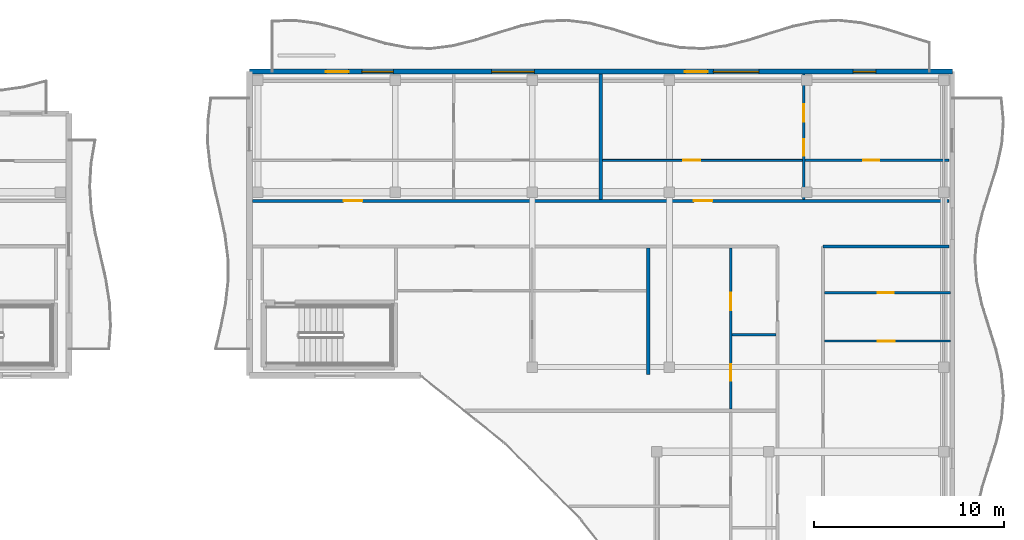
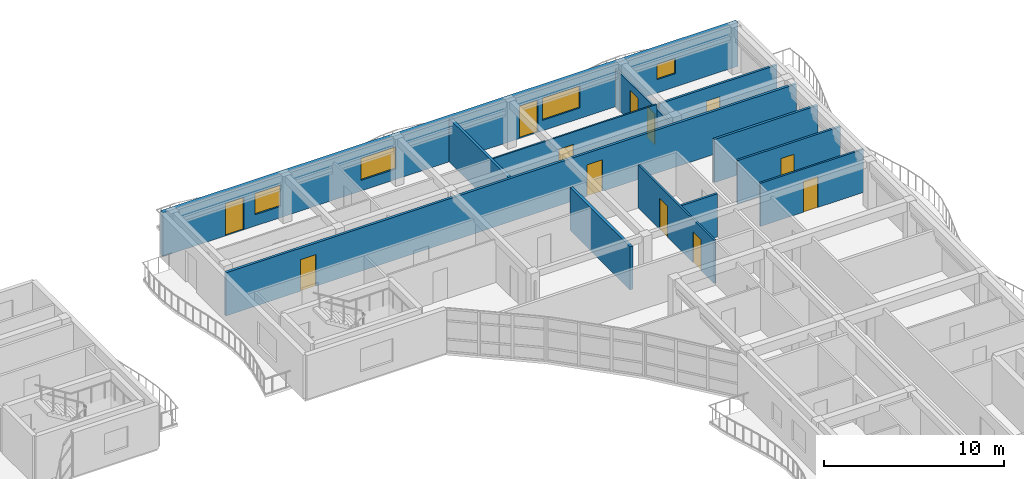
# One storey, part 35 of 49: 12 doors, 12 walls, 4 windows, 16 openings.
"""IFC4 building model written with IfcOpenShell, lengths in metres."""

from ifc_helpers import new_model, si_unit, direction, frame, frame_2d, origin, place, context, subcontext, project, spatial, rectangle, extrude, material, layer, layer_set, type_object, element, fill, save


model = new_model("IFC4")

# Units and contexts
model_context = context("Model", 3, precision=1e-05, world=origin(), true_north=direction((0.0, 1.0)))
body_context = subcontext(model_context, "Body", "Model", "MODEL_VIEW")
ifc_project = project(units=[si_unit("LENGTHUNIT", "METRE"), si_unit("AREAUNIT", "SQUARE_METRE"), si_unit("VOLUMEUNIT", "CUBIC_METRE"), si_unit("PLANEANGLEUNIT", "RADIAN"), si_unit("MASSUNIT", "GRAM", prefix="KILO")], contexts=[model_context])

# Site, building, storey
site_placement = place(None, origin())
site = spatial("IfcSite", under=ifc_project, at=site_placement, CompositionType="ELEMENT")
building_placement = place(site_placement, origin())
building = spatial("IfcBuilding", under=site, at=building_placement, Name="Keldmere Railside Commons", CompositionType="ELEMENT")
storey_placement = place(building_placement, frame((0.0, 0.0, 29.760009765625)))
storey = spatial("IfcBuildingStorey", under=building, at=storey_placement, Name="L09", CompositionType="ELEMENT", Elevation=29.760009765625)

# Walls
ifc_material_1 = material(Name="Acoustic Gypsum Board Partition", Category="gypsum")
ifc_layer_1 = layer(ifc_material_1, 0.179931640625, Name="Acoustic Demising Partition 180")
ifc_layer_set_1 = layer_set([ifc_layer_1], Name="Acoustic Gypsum Board Partition")
wall_type_1 = type_object("IfcWallType", Name="Acoustic Demising Partition 180", PredefinedType="PARTITIONING", material=ifc_layer_set_1)
wall_1_placement = place(storey_placement, frame((168.0, 100.050048828125, 0.0), z_axis=(0.0, 0.0, 1.0), x_axis=(0.0, 1.0, 0.0)))
element("IfcWall", 1, at=wall_1_placement, inside=storey, type_object=wall_type_1, Name="IW-1 IW-L09-1774", PredefinedType="PARTITIONING", context=body_context, shape_type="SweptSolid", body=[
    extrude(rectangle(XDim=6.669921875, YDim=0.179931640625, at=frame_2d((3.3349609375, 0.0))), origin(), (0.0, 0.0, 1.0), 2.93505859375),
])
wall_2_placement = place(storey_placement, frame((165.5, 109.280029296875, 0.0), z_axis=(0.0, 0.0, 1.0), x_axis=(0.0, 1.0, 0.0)))
element("IfcWall", 2, at=wall_2_placement, inside=storey, type_object=wall_type_1, Name="IW-1 IW-L09-1789", PredefinedType="PARTITIONING", context=body_context, shape_type="SweptSolid", body=[
    extrude(rectangle(XDim=6.590087890625, YDim=0.179931640625, at=frame_2d((3.294921875, 0.0))), origin(), (0.0, 0.0, 1.0), 2.93505859375),
])

# Wall, openings, doors
ifc_layer_2 = layer(ifc_material_1, 0.1201171875, Name="Apartment Interior Partition 120")
ifc_layer_set_2 = layer_set([ifc_layer_2], Name="Acoustic Gypsum Board Partition")
wall_type_2 = type_object("IfcWallType", Name="Apartment Interior Partition 120", PredefinedType="PARTITIONING", material=ifc_layer_set_2)
wall_3_placement = place(storey_placement, frame((172.340087890625, 98.25, 0.0), z_axis=(0.0, 0.0, 1.0), x_axis=(0.0, 1.0, 0.0)))
wall_3 = element("IfcWall", 3, at=wall_3_placement, inside=storey, type_object=wall_type_2, Name="IW-4 IW-L09-1787", PredefinedType="PARTITIONING", context=body_context, shape_type="SweptSolid", body=[
    extrude(rectangle(XDim=8.469970703125, YDim=0.1201171875, at=frame_2d((4.23486328125, 0.0))), origin(), (0.0, 0.0, 1.0), 2.93505859375),
])
opening_1_placement = place(wall_3_placement, frame((1.48193359375, 0.0, 0.0)))
opening_1 = element("IfcOpeningElement", 4, at=opening_1_placement, cuts=wall_3, Name="Opening ID-04", PredefinedType="OPENING", context=body_context, shape_type="SweptSolid", body=[
    extrude(rectangle(XDim=0.860107421875, YDim=2.10009765625, at=frame_2d((0.43017578125, 1.050048828125))), frame((0.0, 0.070068359375, 0.0), z_axis=(0.0, -1.0, 0.0), x_axis=(1.0, 0.0, 0.0)), (0.0, 0.0, 1.0), 0.14013671875),
])
opening_2_placement = place(wall_3_placement, frame((5.1796875, 0.0, 0.0)))
opening_2 = element("IfcOpeningElement", 5, at=opening_2_placement, cuts=wall_3, Name="Opening ID-03", PredefinedType="OPENING", context=body_context, shape_type="SweptSolid", body=[
    extrude(rectangle(XDim=0.919921875, YDim=2.10009765625, at=frame_2d((0.4599609375, 1.050048828125))), frame((0.0, 0.070068359375, 0.0), z_axis=(0.0, -1.0, 0.0), x_axis=(1.0, 0.0, 0.0)), (0.0, 0.0, 1.0), 0.14013671875),
])
ifc_material_2 = material(Name="Engineered Oak Timber", Category="wood")
door_type_1 = type_object("IfcDoorType", Name="Apartment Bathroom Door 860x2100", OperationType="NOTDEFINED", PredefinedType="DOOR", material=ifc_material_2)
door_1_placement = place(opening_1_placement, origin())
door_1 = element("IfcDoor", 6, at=door_1_placement, inside=storey, type_object=door_type_1, Name="ID-04 IDR-L09-1629", OperationType="SINGLE_SWING_LEFT", OverallHeight=2.10009765625, OverallWidth=0.860107421875, PredefinedType="DOOR", context=body_context, shape_type="SweptSolid", body=[
    extrude(rectangle(XDim=0.860107421875, YDim=2.10009765625, at=frame_2d((0.43017578125, 1.050048828125))), frame((0.0, 0.02490234375, 0.0), z_axis=(0.0, -1.0, 0.0), x_axis=(1.0, 0.0, 0.0)), (0.0, 0.0, 1.0), 0.050048828125),
])
fill(opening_1, door_1)
door_type_2 = type_object("IfcDoorType", Name="Kitchen Pocket-Frame Swing Door 920x2100", OperationType="NOTDEFINED", PredefinedType="DOOR", material=ifc_material_2)
door_2_placement = place(opening_2_placement, origin())
door_2 = element("IfcDoor", 7, at=door_2_placement, inside=storey, type_object=door_type_2, Name="ID-03 IDR-L09-1630", OperationType="SINGLE_SWING_RIGHT", OverallHeight=2.10009765625, OverallWidth=0.919921875, PredefinedType="DOOR", context=body_context, shape_type="SweptSolid", body=[
    extrude(rectangle(XDim=0.919921875, YDim=2.10009765625, at=frame_2d((0.4599609375, 1.050048828125))), frame((0.0, 0.02490234375, 0.0), z_axis=(0.0, -1.0, 0.0), x_axis=(1.0, 0.0, 0.0)), (0.0, 0.0, 1.0), 0.050048828125),
])
fill(opening_2, door_2)

wall_4_placement = place(storey_placement, frame((176.179931640625, 109.280029296875, 0.0), z_axis=(0.0, 0.0, 1.0), x_axis=(0.0, 1.0, 0.0)))
wall_4 = element("IfcWall", 8, at=wall_4_placement, inside=storey, type_object=wall_type_2, Name="IW-4 IW-L09-1793", PredefinedType="PARTITIONING", context=body_context, shape_type="SweptSolid", body=[
    extrude(rectangle(XDim=6.590087890625, YDim=0.1201171875, at=frame_2d((3.294921875, 0.0))), origin(), (0.0, 0.0, 1.0), 2.580078125),
])
opening_3_placement = place(wall_4_placement, frame((2.305908203125, 0.0, 0.0)))
opening_3 = element("IfcOpeningElement", 9, at=opening_3_placement, cuts=wall_4, Name="Opening ID-04", PredefinedType="OPENING", context=body_context, shape_type="SweptSolid", body=[
    extrude(rectangle(XDim=0.860107421875, YDim=2.10009765625, at=frame_2d((0.43017578125, 1.050048828125))), frame((0.0, 0.070068359375, 0.0), z_axis=(0.0, -1.0, 0.0), x_axis=(1.0, 0.0, 0.0)), (0.0, 0.0, 1.0), 0.14013671875),
])
opening_4_placement = place(wall_4_placement, frame((4.093017578125, 0.0, 0.0)))
opening_4 = element("IfcOpeningElement", 10, at=opening_4_placement, cuts=wall_4, Name="Opening ID-01", PredefinedType="OPENING", context=body_context, shape_type="SweptSolid", body=[
    extrude(rectangle(XDim=0.89990234375, YDim=2.10009765625, at=frame_2d((0.449951171875, 1.050048828125))), frame((0.0, 0.070068359375, 0.0), z_axis=(0.0, -1.0, 0.0), x_axis=(1.0, 0.0, 0.0)), (0.0, 0.0, 1.0), 0.14013671875),
])
door_3_placement = place(opening_3_placement, origin())
door_3 = element("IfcDoor", 11, at=door_3_placement, inside=storey, type_object=door_type_1, Name="ID-04 IDR-L09-1639", OperationType="SINGLE_SWING_LEFT", OverallHeight=2.10009765625, OverallWidth=0.860107421875, PredefinedType="DOOR", context=body_context, shape_type="SweptSolid", body=[
    extrude(rectangle(XDim=0.860107421875, YDim=2.10009765625, at=frame_2d((0.43017578125, 1.050048828125))), frame((0.0, 0.02490234375, 0.0), z_axis=(0.0, -1.0, 0.0), x_axis=(1.0, 0.0, 0.0)), (0.0, 0.0, 1.0), 0.050048828125),
])
fill(opening_3, door_3)
door_type_3 = type_object("IfcDoorType", Name="Primary Bedroom Door 900x2100", OperationType="NOTDEFINED", PredefinedType="DOOR", material=ifc_material_2)
door_4_placement = place(opening_4_placement, origin())
door_4 = element("IfcDoor", 12, at=door_4_placement, inside=storey, type_object=door_type_3, Name="ID-01 IDR-L09-1640", OperationType="SINGLE_SWING_RIGHT", OverallHeight=2.10009765625, OverallWidth=0.89990234375, PredefinedType="DOOR", context=body_context, shape_type="SweptSolid", body=[
    extrude(rectangle(XDim=0.89990234375, YDim=2.10009765625, at=frame_2d((0.449951171875, 1.050048828125))), frame((0.0, 0.02490234375, 0.0), z_axis=(0.0, -1.0, 0.0), x_axis=(1.0, 0.0, 0.0)), (0.0, 0.0, 1.0), 0.050048828125),
])
fill(opening_4, door_4)

# Wall, opening, door
wall_5_placement = place(storey_placement, frame((177.280029296875, 101.820068359375, 0.0), z_axis=(0.0, 0.0, 1.0), x_axis=(1.0, 0.0, 0.0)))
wall_5 = element("IfcWall", 13, at=wall_5_placement, inside=storey, type_object=wall_type_2, Name="IW-4 IW-L09-1802", PredefinedType="PARTITIONING", context=body_context, shape_type="SweptSolid", body=[
    extrude(rectangle(XDim=6.6298828125, YDim=0.1201171875, at=frame_2d((3.31494140625, 0.0))), origin(), (0.0, 0.0, 1.0), 2.93505859375),
])
opening_5_placement = place(wall_5_placement, frame((2.78466796875, 0.0, 0.0)))
opening_5 = element("IfcOpeningElement", 14, at=opening_5_placement, cuts=wall_5, Name="Opening ID-03", PredefinedType="OPENING", context=body_context, shape_type="SweptSolid", body=[
    extrude(rectangle(XDim=0.919921875, YDim=2.10009765625, at=frame_2d((0.4599609375, 1.050048828125))), frame((0.0, 0.070068359375, 0.0), z_axis=(0.0, -1.0, 0.0), x_axis=(1.0, 0.0, 0.0)), (0.0, 0.0, 1.0), 0.14013671875),
])
door_5_placement = place(opening_5_placement, origin())
door_5 = element("IfcDoor", 15, at=door_5_placement, inside=storey, type_object=door_type_2, Name="ID-03 IDR-L09-1651", OperationType="SINGLE_SWING_LEFT", OverallHeight=2.10009765625, OverallWidth=0.919921875, PredefinedType="DOOR", context=body_context, shape_type="SweptSolid", body=[
    extrude(rectangle(XDim=0.919921875, YDim=2.10009765625, at=frame_2d((0.4599609375, 1.050048828125))), frame((0.0, 0.02490234375, 0.0), z_axis=(0.0, -1.0, 0.0), x_axis=(1.0, 0.0, 0.0)), (0.0, 0.0, 1.0), 0.050048828125),
])
fill(opening_5, door_5)

ifc_layer_3 = layer(ifc_material_1, 0.10009765625, Name="Closet Light Partition 100")
ifc_layer_set_3 = layer_set([ifc_layer_3], Name="Acoustic Gypsum Board Partition")
wall_type_3 = type_object("IfcWallType", Name="Closet Light Partition 100", PredefinedType="PARTITIONING", material=ifc_layer_set_3)
wall_6_placement = place(storey_placement, frame((165.590087890625, 111.330078125, 0.0), z_axis=(0.0, 0.0, 1.0), x_axis=(1.0, 0.0, 0.0)))
wall_6 = element("IfcWall", 16, at=wall_6_placement, inside=storey, type_object=wall_type_3, Name="IW-6 IW-L09-1795", PredefinedType="PARTITIONING", context=body_context, shape_type="SweptSolid", body=[
    extrude(rectangle(XDim=10.530029296875, YDim=0.10009765625, at=frame_2d((5.26513671875, 0.0))), origin(), (0.0, 0.0, 1.0), 2.93505859375),
])
opening_6_placement = place(wall_6_placement, frame((4.236083984375, 0.0, 0.0)))
opening_6 = element("IfcOpeningElement", 17, at=opening_6_placement, cuts=wall_6, Name="Opening ID-03", PredefinedType="OPENING", context=body_context, shape_type="SweptSolid", body=[
    extrude(rectangle(XDim=0.919921875, YDim=2.10009765625, at=frame_2d((0.4599609375, 1.050048828125))), frame((0.0, 0.06005859375, 0.0), z_axis=(0.0, -1.0, 0.0), x_axis=(1.0, 0.0, 0.0)), (0.0, 0.0, 1.0), 0.1201171875),
])
door_6_placement = place(opening_6_placement, origin())
door_6 = element("IfcDoor", 18, at=door_6_placement, inside=storey, type_object=door_type_2, Name="ID-03 IDR-L09-1638", OperationType="SINGLE_SWING_RIGHT", OverallHeight=2.10009765625, OverallWidth=0.919921875, PredefinedType="DOOR", context=body_context, shape_type="SweptSolid", body=[
    extrude(rectangle(XDim=0.919921875, YDim=2.10009765625, at=frame_2d((0.4599609375, 1.050048828125))), frame((0.0, 0.02490234375, 0.0), z_axis=(0.0, -1.0, 0.0), x_axis=(1.0, 0.0, 0.0)), (0.0, 0.0, 1.0), 0.050048828125),
])
fill(opening_6, door_6)

# Wall
ifc_layer_4 = layer(ifc_material_1, 0.159912109375, Name="Corridor Fire Partition 160")
ifc_layer_set_4 = layer_set([ifc_layer_4], Name="Acoustic Gypsum Board Partition")
wall_type_4 = type_object("IfcWallType", Name="Corridor Fire Partition 160", PredefinedType="PARTITIONING", material=ifc_layer_set_4)
wall_7_placement = place(storey_placement, frame((177.199951171875, 106.800048828125, 0.0), z_axis=(0.0, 0.0, 1.0), x_axis=(1.0, 0.0, 0.0)))
element("IfcWall", 19, at=wall_7_placement, inside=storey, type_object=wall_type_4, Name="IW-2 IW-L09-1772", PredefinedType="PARTITIONING", context=body_context, shape_type="SweptSolid", body=[
    extrude(rectangle(XDim=6.64013671875, YDim=0.159912109375, at=frame_2d((3.320068359375, 0.0))), origin(), (0.0, 0.0, 1.0), 2.93505859375),
])

# Wall, openings, doors
wall_8_placement = place(storey_placement, frame((147.159912109375, 109.199951171875, 0.0), z_axis=(0.0, 0.0, 1.0), x_axis=(1.0, 0.0, 0.0)))
wall_8 = element("IfcWall", 20, at=wall_8_placement, inside=storey, type_object=wall_type_4, Name="IW-2 IW-L09-1773", PredefinedType="PARTITIONING", context=body_context, shape_type="SweptSolid", body=[
    extrude(rectangle(XDim=36.68017578125, YDim=0.159912109375, at=frame_2d((18.340087890625, 0.0))), origin(), (0.0, 0.0, 1.0), 2.93505859375),
])
opening_7_placement = place(wall_8_placement, frame((4.804931640625, 0.0, 0.0)))
opening_7 = element("IfcOpeningElement", 21, at=opening_7_placement, cuts=wall_8, Name="Opening FD-7", PredefinedType="OPENING", context=body_context, shape_type="SweptSolid", body=[
    extrude(rectangle(XDim=0.97998046875, YDim=2.14990234375, at=frame_2d((0.489990234375, 1.074951171875))), frame((0.0, 0.08984375, 0.0), z_axis=(0.0, -1.0, 0.0), x_axis=(1.0, 0.0, 0.0)), (0.0, 0.0, 1.0), 0.179931640625),
])
opening_8_placement = place(wall_8_placement, frame((23.235107421875, 0.0, 0.0)))
opening_8 = element("IfcOpeningElement", 22, at=opening_8_placement, cuts=wall_8, Name="Opening FD-7", PredefinedType="OPENING", context=body_context, shape_type="SweptSolid", body=[
    extrude(rectangle(XDim=0.97998046875, YDim=2.14990234375, at=frame_2d((0.489990234375, 1.074951171875))), frame((0.0, 0.08984375, 0.0), z_axis=(0.0, -1.0, 0.0), x_axis=(1.0, 0.0, 0.0)), (0.0, 0.0, 1.0), 0.179931640625),
])
door_type_4 = type_object("IfcDoorType", Name="Apartment Entrance Acoustic Fire Door 980x2150", OperationType="NOTDEFINED", PredefinedType="DOOR", material=ifc_material_2)
door_7_placement = place(opening_7_placement, origin())
door_7 = element("IfcDoor", 23, at=door_7_placement, inside=storey, type_object=door_type_4, Name="FD-7 IDR-L09-1632", OperationType="SINGLE_SWING_RIGHT", OverallHeight=2.14990234375, OverallWidth=0.97998046875, PredefinedType="DOOR", context=body_context, shape_type="SweptSolid", body=[
    extrude(rectangle(XDim=0.97998046875, YDim=2.14990234375, at=frame_2d((0.489990234375, 1.074951171875))), frame((0.0, 0.02490234375, 0.0), z_axis=(0.0, -1.0, 0.0), x_axis=(1.0, 0.0, 0.0)), (0.0, 0.0, 1.0), 0.050048828125),
])
fill(opening_7, door_7)
door_8_placement = place(opening_8_placement, origin())
door_8 = element("IfcDoor", 24, at=door_8_placement, inside=storey, type_object=door_type_4, Name="FD-7 IDR-L09-1637", OperationType="SINGLE_SWING_LEFT", OverallHeight=2.14990234375, OverallWidth=0.97998046875, PredefinedType="DOOR", context=body_context, shape_type="SweptSolid", body=[
    extrude(rectangle(XDim=0.97998046875, YDim=2.14990234375, at=frame_2d((0.489990234375, 1.074951171875))), frame((0.0, 0.02490234375, 0.0), z_axis=(0.0, -1.0, 0.0), x_axis=(1.0, 0.0, 0.0)), (0.0, 0.0, 1.0), 0.050048828125),
])
fill(opening_8, door_8)

# Wall, openings, windows, doors
ifc_material_3 = material(Name="Terracotta Brick Masonry", Category="masonry")
ifc_layer_5 = layer(ifc_material_3, 0.260009765625, Name="Terracotta Cavity Wall 260")
ifc_layer_set_5 = layer_set([ifc_layer_5], Name="Terracotta Brick Masonry")
wall_type_5 = type_object("IfcWallType", Name="Terracotta Cavity Wall 260", PredefinedType="SOLIDWALL", material=ifc_layer_set_5)
wall_9_placement = place(storey_placement, frame((147.0, 116.0, 0.0), z_axis=(0.0, 0.0, 1.0), x_axis=(1.0, 0.0, 0.0)))
wall_9 = element("IfcWall", 25, at=wall_9_placement, inside=storey, type_object=wall_type_5, Name="EW-1 EXTA-L09-0940", PredefinedType="SOLIDWALL", context=body_context, shape_type="SweptSolid", body=[
    extrude(rectangle(XDim=37.0, YDim=0.260009765625, at=frame_2d((18.5, 0.0))), origin(), (0.0, 0.0, 1.0), 2.97998046875),
])
opening_9_placement = place(wall_9_placement, frame((4.02490234375, 0.0, 0.0)))
opening_9 = element("IfcOpeningElement", 26, at=opening_9_placement, cuts=wall_9, Name="Opening BD-01", PredefinedType="OPENING", context=body_context, shape_type="SweptSolid", body=[
    extrude(rectangle(XDim=1.199951171875, YDim=2.199951171875, at=frame_2d((0.60009765625, 1.10009765625))), frame((0.0, 0.139892578125, 0.0), z_axis=(0.0, -1.0, 0.0), x_axis=(1.0, 0.0, 0.0)), (0.0, 0.0, 1.0), 0.280029296875),
])
opening_10_placement = place(wall_9_placement, frame((5.925048828125, 0.0, 0.77001953125)))
opening_10 = element("IfcOpeningElement", 27, at=opening_10_placement, cuts=wall_9, Name="Opening WN-03", PredefinedType="OPENING", context=body_context, shape_type="SweptSolid", body=[
    extrude(rectangle(XDim=1.64990234375, YDim=1.449951171875, at=frame_2d((0.824951171875, 0.72509765625))), frame((0.0, 0.139892578125, 0.0), z_axis=(0.0, -1.0, 0.0), x_axis=(1.0, 0.0, 0.0)), (0.0, 0.0, 1.0), 0.280029296875),
])
opening_11_placement = place(wall_9_placement, frame((12.75, 0.0, 0.719970703125)))
opening_11 = element("IfcOpeningElement", 28, at=opening_11_placement, cuts=wall_9, Name="Opening WN-12", PredefinedType="OPENING", context=body_context, shape_type="SweptSolid", body=[
    extrude(rectangle(XDim=2.25, YDim=1.5, at=frame_2d((1.125, 0.75))), frame((0.0, 0.139892578125, 0.0), z_axis=(0.0, -1.0, 0.0), x_axis=(1.0, 0.0, 0.0)), (0.0, 0.0, 1.0), 0.280029296875),
])
opening_12_placement = place(wall_9_placement, frame((22.925048828125, 0.0, 0.0)))
opening_12 = element("IfcOpeningElement", 29, at=opening_12_placement, cuts=wall_9, Name="Opening BD-01", PredefinedType="OPENING", context=body_context, shape_type="SweptSolid", body=[
    extrude(rectangle(XDim=1.199951171875, YDim=2.199951171875, at=frame_2d((0.60009765625, 1.10009765625))), frame((0.0, 0.139892578125, 0.0), z_axis=(0.0, -1.0, 0.0), x_axis=(1.0, 0.0, 0.0)), (0.0, 0.0, 1.0), 0.280029296875),
])
opening_13_placement = place(wall_9_placement, frame((24.425048828125, 0.0, 0.719970703125)))
opening_13 = element("IfcOpeningElement", 30, at=opening_13_placement, cuts=wall_9, Name="Opening WN-05", PredefinedType="OPENING", context=body_context, shape_type="SweptSolid", body=[
    extrude(rectangle(XDim=2.39990234375, YDim=1.5, at=frame_2d((1.199951171875, 0.75))), frame((0.0, 0.139892578125, 0.0), z_axis=(0.0, -1.0, 0.0), x_axis=(1.0, 0.0, 0.0)), (0.0, 0.0, 1.0), 0.280029296875),
])
opening_14_placement = place(wall_9_placement, frame((31.77490234375, 0.0, 0.89990234375)))
opening_14 = element("IfcOpeningElement", 31, at=opening_14_placement, cuts=wall_9, Name="Opening WN-14", PredefinedType="OPENING", context=body_context, shape_type="SweptSolid", body=[
    extrude(rectangle(XDim=1.199951171875, YDim=1.050048828125, at=frame_2d((0.60009765625, 0.52490234375))), frame((0.0, 0.139892578125, 0.0), z_axis=(0.0, -1.0, 0.0), x_axis=(1.0, 0.0, 0.0)), (0.0, 0.0, 1.0), 0.280029296875),
])
ifc_material_4 = material(Name="Low-E Insulated Double Glazing", Category="glass")
window_type_1 = type_object("IfcWindowType", Name="Apartment Kitchen Ribbon Window 1200x1050", PartitioningType="SINGLE_PANEL", PredefinedType="WINDOW", material=ifc_material_4)
window_1_placement = place(opening_14_placement, origin())
window_1 = element("IfcWindow", 32, at=window_1_placement, inside=storey, type_object=window_type_1, Name="WN-14 WIN-L09-0750", OverallHeight=1.050048828125, OverallWidth=1.199951171875, PartitioningType="SINGLE_PANEL", PredefinedType="WINDOW", context=body_context, shape_type="SweptSolid", body=[
    extrude(rectangle(XDim=1.199951171875, YDim=1.050048828125, at=frame_2d((0.60009765625, 0.52490234375))), frame((0.0, 0.030029296875, 0.0), z_axis=(0.0, -1.0, 0.0), x_axis=(1.0, 0.0, 0.0)), (0.0, 0.0, 1.0), 0.06005859375),
])
fill(opening_14, window_1)
ifc_material_5 = material(Name="Thermally Broken Aluminium", Category="aluminium")
door_type_5 = type_object("IfcDoorType", Name="Apartment Living Wave-Balcony Glazed Door 1200x2200", OperationType="NOTDEFINED", PredefinedType="DOOR", material=ifc_material_5)
door_9_placement = place(opening_9_placement, origin())
door_9 = element("IfcDoor", 33, at=door_9_placement, inside=storey, type_object=door_type_5, Name="BD-01 DR-L09-0270", OperationType="SINGLE_SWING_RIGHT", OverallHeight=2.199951171875, OverallWidth=1.199951171875, PredefinedType="DOOR", context=body_context, shape_type="SweptSolid", body=[
    extrude(rectangle(XDim=1.199951171875, YDim=2.199951171875, at=frame_2d((0.60009765625, 1.10009765625))), frame((0.0, 0.02490234375, 0.0), z_axis=(0.0, -1.0, 0.0), x_axis=(1.0, 0.0, 0.0)), (0.0, 0.0, 1.0), 0.050048828125),
])
fill(opening_9, door_9)
door_10_placement = place(opening_12_placement, origin())
door_10 = element("IfcDoor", 34, at=door_10_placement, inside=storey, type_object=door_type_5, Name="BD-01 DR-L09-0271", OperationType="SINGLE_SWING_LEFT", OverallHeight=2.199951171875, OverallWidth=1.199951171875, PredefinedType="DOOR", context=body_context, shape_type="SweptSolid", body=[
    extrude(rectangle(XDim=1.199951171875, YDim=2.199951171875, at=frame_2d((0.60009765625, 1.10009765625))), frame((0.0, 0.02490234375, 0.0), z_axis=(0.0, -1.0, 0.0), x_axis=(1.0, 0.0, 0.0)), (0.0, 0.0, 1.0), 0.050048828125),
])
fill(opening_12, door_10)
window_type_2 = type_object("IfcWindowType", Name="Corner Dual-Aspect Ribbon Window 2400x1500", PartitioningType="SINGLE_PANEL", PredefinedType="WINDOW", material=ifc_material_4)
window_2_placement = place(opening_13_placement, origin())
window_2 = element("IfcWindow", 35, at=window_2_placement, inside=storey, type_object=window_type_2, Name="WN-05 WIN-L09-0749", OverallHeight=1.5, OverallWidth=2.39990234375, PartitioningType="SINGLE_PANEL", PredefinedType="WINDOW", context=body_context, shape_type="SweptSolid", body=[
    extrude(rectangle(XDim=2.39990234375, YDim=1.5, at=frame_2d((1.199951171875, 0.75))), frame((0.0, 0.030029296875, 0.0), z_axis=(0.0, -1.0, 0.0), x_axis=(1.0, 0.0, 0.0)), (0.0, 0.0, 1.0), 0.06005859375),
])
fill(opening_13, window_2)
window_type_3 = type_object("IfcWindowType", Name="Living Room East Shaded Window 1650x1450", PartitioningType="SINGLE_PANEL", PredefinedType="WINDOW", material=ifc_material_4)
window_3_placement = place(opening_10_placement, origin())
window_3 = element("IfcWindow", 36, at=window_3_placement, inside=storey, type_object=window_type_3, Name="WN-03 WIN-L09-0747", OverallHeight=1.449951171875, OverallWidth=1.64990234375, PartitioningType="SINGLE_PANEL", PredefinedType="WINDOW", context=body_context, shape_type="SweptSolid", body=[
    extrude(rectangle(XDim=1.64990234375, YDim=1.449951171875, at=frame_2d((0.824951171875, 0.72509765625))), frame((0.0, 0.030029296875, 0.0), z_axis=(0.0, -1.0, 0.0), x_axis=(1.0, 0.0, 0.0)), (0.0, 0.0, 1.0), 0.06005859375),
])
fill(opening_10, window_3)
window_type_4 = type_object("IfcWindowType", Name="Studio Court Ribbon Window 2250x1500", PartitioningType="SINGLE_PANEL", PredefinedType="WINDOW", material=ifc_material_4)
window_4_placement = place(opening_11_placement, origin())
window_4 = element("IfcWindow", 37, at=window_4_placement, inside=storey, type_object=window_type_4, Name="WN-12 WIN-L09-0748", OverallHeight=1.5, OverallWidth=2.25, PartitioningType="SINGLE_PANEL", PredefinedType="WINDOW", context=body_context, shape_type="SweptSolid", body=[
    extrude(rectangle(XDim=2.25, YDim=1.5, at=frame_2d((1.125, 0.75))), frame((0.0, 0.030029296875, 0.0), z_axis=(0.0, -1.0, 0.0), x_axis=(1.0, 0.0, 0.0)), (0.0, 0.0, 1.0), 0.06005859375),
])
fill(opening_11, window_4)

# Wall
ifc_layer_6 = layer(ifc_material_1, 0.139892578125, Name="Wet-Room Sanitary Partition 140")
ifc_layer_set_6 = layer_set([ifc_layer_6], Name="Acoustic Gypsum Board Partition")
wall_type_6 = type_object("IfcWallType", Name="Wet-Room Sanitary Partition 140", PredefinedType="PARTITIONING", material=ifc_layer_set_6)
wall_10_placement = place(storey_placement, frame((172.39990234375, 102.14990234375, 0.0), z_axis=(0.0, 0.0, 1.0), x_axis=(1.0, 0.0, 0.0)))
element("IfcWall", 38, at=wall_10_placement, inside=storey, type_object=wall_type_6, Name="IW-5 IW-L09-1788", PredefinedType="PARTITIONING", context=body_context, shape_type="SweptSolid", body=[
    extrude(rectangle(XDim=2.320068359375, YDim=0.139892578125, at=frame_2d((1.16015625, 0.0))), origin(), (0.0, 0.0, 1.0), 2.93505859375),
])

# Wall, opening, door
wall_11_placement = place(storey_placement, frame((176.239990234375, 111.330078125, 0.0), z_axis=(0.0, 0.0, 1.0), x_axis=(1.0, 0.0, 0.0)))
wall_11 = element("IfcWall", 39, at=wall_11_placement, inside=storey, type_object=wall_type_6, Name="IW-5 IW-L09-1794", PredefinedType="PARTITIONING", context=body_context, shape_type="SweptSolid", body=[
    extrude(rectangle(XDim=7.60009765625, YDim=0.139892578125, at=frame_2d((3.800048828125, 0.0))), origin(), (0.0, 0.0, 1.0), 2.93505859375),
])
opening_15_placement = place(wall_11_placement, frame((3.06396484375, 0.0, 0.0)))
opening_15 = element("IfcOpeningElement", 40, at=opening_15_placement, cuts=wall_11, Name="Opening ID-06", PredefinedType="OPENING", context=body_context, shape_type="SweptSolid", body=[
    extrude(rectangle(XDim=0.85009765625, YDim=2.050048828125, at=frame_2d((0.425048828125, 1.02490234375))), frame((0.0, 0.079833984375, 0.0), z_axis=(0.0, -1.0, 0.0), x_axis=(1.0, 0.0, 0.0)), (0.0, 0.0, 1.0), 0.159912109375),
])
door_type_6 = type_object("IfcDoorType", Name="Storage Closet Door 850x2050", OperationType="NOTDEFINED", PredefinedType="DOOR", material=ifc_material_2)
door_11_placement = place(opening_15_placement, origin())
door_11 = element("IfcDoor", 41, at=door_11_placement, inside=storey, type_object=door_type_6, Name="ID-06 IDR-L09-1641", OperationType="SINGLE_SWING_LEFT", OverallHeight=2.050048828125, OverallWidth=0.85009765625, PredefinedType="DOOR", context=body_context, shape_type="SweptSolid", body=[
    extrude(rectangle(XDim=0.85009765625, YDim=2.050048828125, at=frame_2d((0.425048828125, 1.02490234375))), frame((0.0, 0.02490234375, 0.0), z_axis=(0.0, -1.0, 0.0), x_axis=(1.0, 0.0, 0.0)), (0.0, 0.0, 1.0), 0.050048828125),
])
fill(opening_15, door_11)

wall_12_placement = place(storey_placement, frame((177.280029296875, 104.3701171875, 0.0), z_axis=(0.0, 0.0, 1.0), x_axis=(1.0, 0.0, 0.0)))
wall_12 = element("IfcWall", 42, at=wall_12_placement, inside=storey, type_object=wall_type_6, Name="IW-5 IW-L09-1803", PredefinedType="PARTITIONING", context=body_context, shape_type="SweptSolid", body=[
    extrude(rectangle(XDim=6.6298828125, YDim=0.139892578125, at=frame_2d((3.31494140625, 0.0))), origin(), (0.0, 0.0, 1.0), 2.93505859375),
])
opening_16_placement = place(wall_12_placement, frame((2.78466796875, 0.0, 0.0)))
opening_16 = element("IfcOpeningElement", 43, at=opening_16_placement, cuts=wall_12, Name="Opening ID-04", PredefinedType="OPENING", context=body_context, shape_type="SweptSolid", body=[
    extrude(rectangle(XDim=0.860107421875, YDim=2.10009765625, at=frame_2d((0.43017578125, 1.050048828125))), frame((0.0, 0.079833984375, 0.0), z_axis=(0.0, -1.0, 0.0), x_axis=(1.0, 0.0, 0.0)), (0.0, 0.0, 1.0), 0.159912109375),
])
door_12_placement = place(opening_16_placement, origin())
door_12 = element("IfcDoor", 44, at=door_12_placement, inside=storey, type_object=door_type_1, Name="ID-04 IDR-L09-1650", OperationType="SINGLE_SWING_RIGHT", OverallHeight=2.10009765625, OverallWidth=0.860107421875, PredefinedType="DOOR", context=body_context, shape_type="SweptSolid", body=[
    extrude(rectangle(XDim=0.860107421875, YDim=2.10009765625, at=frame_2d((0.43017578125, 1.050048828125))), frame((0.0, 0.02490234375, 0.0), z_axis=(0.0, -1.0, 0.0), x_axis=(1.0, 0.0, 0.0)), (0.0, 0.0, 1.0), 0.050048828125),
])
fill(opening_16, door_12)

save(model, "model.ifc")
